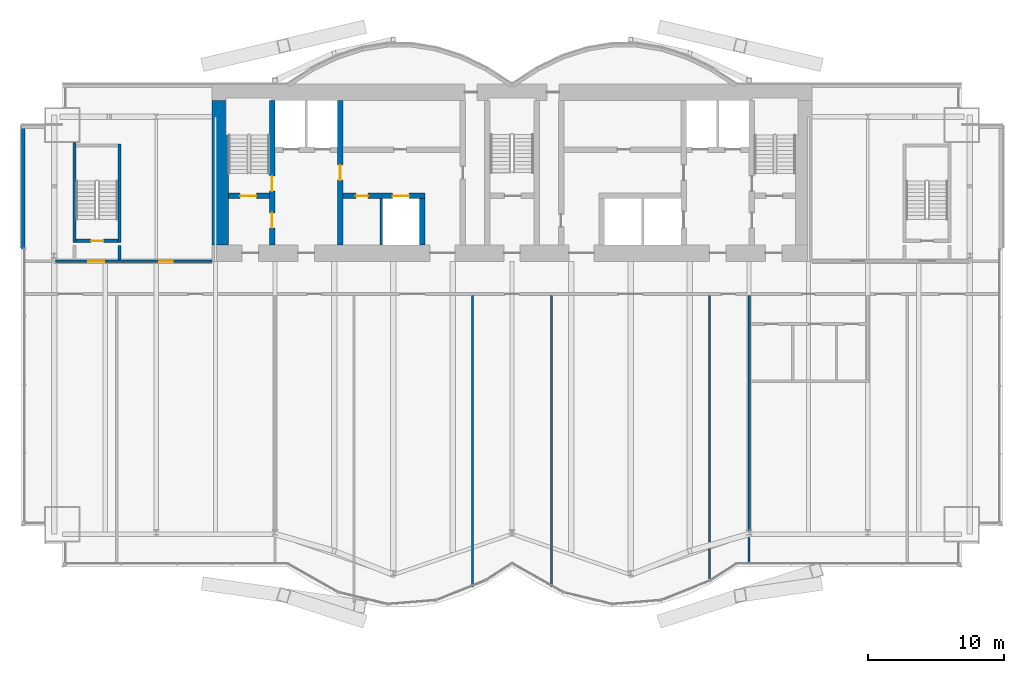
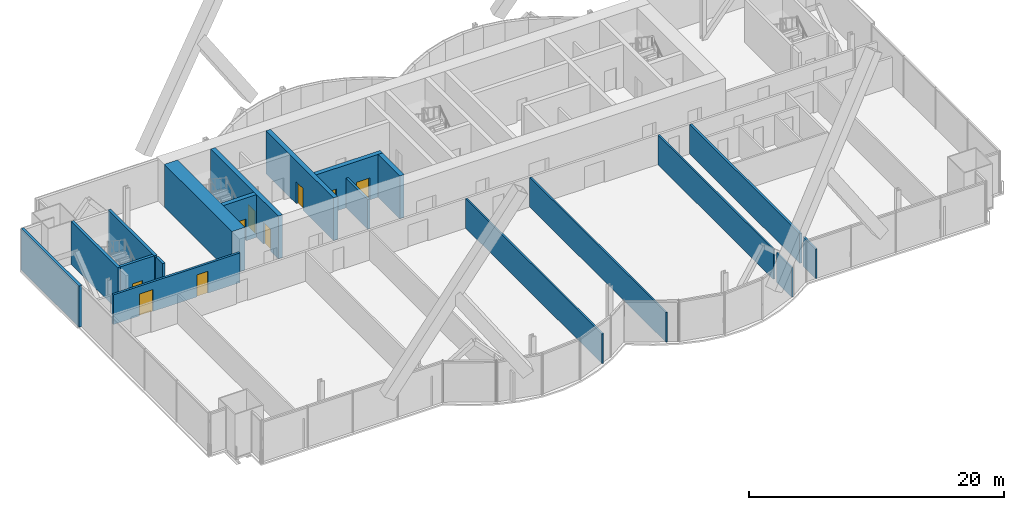
# One storey, part 17 of 23: 19 walls, 9 doors, 9 openings.
"""IFC4 building model written with IfcOpenShell, lengths in metres."""

from ifc_helpers import new_model, si_unit, direction, frame, frame_2d, origin, place, context, subcontext, project, spatial, rectangle, extrude, material, layer, layer_set, layer_usage, type_object, element, fill, save


model = new_model("IFC4")

# Units and contexts
model_context = context("Model", 3, precision=1e-05, world=origin(), true_north=direction((0.0, 1.0)))
body_context = subcontext(model_context, "Body", "Model", "MODEL_VIEW")
ifc_project = project(units=[si_unit("LENGTHUNIT", "METRE"), si_unit("AREAUNIT", "SQUARE_METRE"), si_unit("VOLUMEUNIT", "CUBIC_METRE"), si_unit("PLANEANGLEUNIT", "RADIAN"), si_unit("MASSUNIT", "GRAM", prefix="KILO")], contexts=[model_context])

# Site, building, storey
site_placement = place(None, origin())
site = spatial("IfcSite", under=ifc_project, at=site_placement, CompositionType="ELEMENT")
building_placement = place(site_placement, origin())
building = spatial("IfcBuilding", under=site, at=building_placement, Name="Bicima Exchange Tower", CompositionType="ELEMENT")
storey_placement = place(building_placement, frame((0.0, 0.0, 152.699951171875)))
storey = spatial("IfcBuildingStorey", under=building, at=storey_placement, Name="L33", CompositionType="ELEMENT", Elevation=152.699951171875)

# Wall
ifc_material_1 = material(Name="Gypsum board partition")
ifc_layer_1 = layer(ifc_material_1, 0.199951171875)
ifc_layer_set_1 = layer_set([ifc_layer_1], Name="Gypsum board partition")
wall_type_1 = type_object("IfcWallType", Name="Fire-rated gypsum partition 200 EI120", PredefinedType="PARTITIONING", material=ifc_layer_set_1)
wall_1_placement = place(storey_placement, frame((-9.60009765625, -11.800048828125, 0.0), z_axis=(0.0, 0.0, 1.0), x_axis=(0.0, 1.0, 0.0)))
element("IfcWall", 1, at=wall_1_placement, inside=storey, type_object=wall_type_1, Name="partition wall 11", PredefinedType="PARTITIONING", context=body_context, shape_type="SweptSolid", body=[
    extrude(rectangle(XDim=3.400146484375, YDim=0.199951171875, at=frame_2d((1.7001953125, 0.0))), origin(), (0.0, 0.0, 1.0), 2.84033203125),
])

# Wall, openings, doors
ifc_layer_2 = layer(ifc_material_1, 0.199951171875)
ifc_layer_set_2 = layer_set([ifc_layer_2], Name="Gypsum board partition")
wall_type_2 = type_object("IfcWallType", Name="Fire-rated gypsum partition 200 EI60", PredefinedType="PARTITIONING", material=ifc_layer_set_2)
wall_2_placement = place(storey_placement, frame((-33.47998046875, -13.0, 0.0), z_axis=(0.0, 0.0, 1.0), x_axis=(1.0, 0.0, 0.0)))
wall_2 = element("IfcWall", 2, at=wall_2_placement, inside=storey, type_object=wall_type_2, Name="partition wall 5", PredefinedType="PARTITIONING", context=body_context, shape_type="SweptSolid", body=[
    extrude(rectangle(XDim=11.47998046875, YDim=0.199951171875, at=frame_2d((5.739990234375, 0.0))), origin(), (0.0, 0.0, 1.0), 2.84033203125),
])
opening_1_placement = place(wall_2_placement, frame((2.3798828125, 0.0, 0.0)))
opening_1 = element("IfcOpeningElement", 3, at=opening_1_placement, cuts=wall_2, Name="Opening L33-001", PredefinedType="OPENING", context=body_context, shape_type="SweptSolid", body=[
    extrude(rectangle(XDim=1.199951171875, YDim=2.10009765625, at=frame_2d((0.60009765625, 1.050048828125))), frame((0.0, 0.11181640625, 0.0), z_axis=(0.0, -1.0, 0.0), x_axis=(1.0, 0.0, 0.0)), (0.0, 0.0, 1.0), 0.223876953125),
])
opening_2_placement = place(wall_2_placement, frame((7.580078125, 0.0, 0.0)))
opening_2 = element("IfcOpeningElement", 4, at=opening_2_placement, cuts=wall_2, Name="Opening L33-005", PredefinedType="OPENING", context=body_context, shape_type="SweptSolid", body=[
    extrude(rectangle(XDim=1.0, YDim=2.10009765625, at=frame_2d((0.5, 1.050048828125))), frame((0.0, 0.11181640625, 0.0), z_axis=(0.0, -1.0, 0.0), x_axis=(1.0, 0.0, 0.0)), (0.0, 0.0, 1.0), 0.223876953125),
])
ifc_material_2 = material(Name="Steel fire door leaf", Category="steel")
door_type_1 = type_object("IfcDoorType", Name="Door 1000 swing FD30S", OperationType="SINGLE_SWING_LEFT", PredefinedType="DOOR", material=ifc_material_2)
door_1_placement = place(opening_2_placement, origin())
door_1 = element("IfcDoor", 5, at=door_1_placement, inside=storey, type_object=door_type_1, Name="Door", OperationType="SINGLE_SWING_LEFT", OverallHeight=2.10009765625, OverallWidth=1.0, PredefinedType="DOOR", context=body_context, shape_type="SweptSolid", body=[
    extrude(rectangle(XDim=1.0, YDim=2.10009765625, at=frame_2d((0.5, 1.050048828125))), frame((0.0, 0.02490234375, 0.0), z_axis=(0.0, -1.0, 0.0), x_axis=(1.0, 0.0, 0.0)), (0.0, 0.0, 1.0), 0.050048828125),
])
fill(opening_2, door_1)
door_type_2 = type_object("IfcDoorType", Name="Door 1200 swing FD30S", OperationType="SINGLE_SWING_LEFT", PredefinedType="DOOR", material=ifc_material_2)
door_2_placement = place(opening_1_placement, origin())
door_2 = element("IfcDoor", 6, at=door_2_placement, inside=storey, type_object=door_type_2, Name="Door", OperationType="SINGLE_SWING_LEFT", OverallHeight=2.10009765625, OverallWidth=1.199951171875, PredefinedType="DOOR", context=body_context, shape_type="SweptSolid", body=[
    extrude(rectangle(XDim=1.199951171875, YDim=2.10009765625, at=frame_2d((0.60009765625, 1.050048828125))), frame((0.0, 0.02490234375, 0.0), z_axis=(0.0, -1.0, 0.0), x_axis=(1.0, 0.0, 0.0)), (0.0, 0.0, 1.0), 0.050048828125),
])
fill(opening_1, door_2)

# Walls
wall_3_placement = place(storey_placement, frame((17.39990234375, -32.774658203125, 0.0), z_axis=(0.0, 0.0, 1.0), x_axis=(0.0, 1.0, 0.0)))
element("IfcWall", 7, at=wall_3_placement, inside=storey, type_object=wall_type_2, Name="partition wall 24", PredefinedType="PARTITIONING", context=body_context, shape_type="SweptSolid", body=[
    extrude(rectangle(XDim=17.274658203125, YDim=0.199951171875, at=frame_2d((8.63720703125, 0.0))), origin(), (0.0, 0.0, 1.0), 2.84033203125),
])
ifc_layer_3 = layer(ifc_material_1, 0.14990234375)
ifc_layer_set_3 = layer_set([ifc_layer_3], Name="Gypsum board partition")
wall_type_3 = type_object("IfcWallType", Name="Gypsum partition 150", PredefinedType="PARTITIONING", material=ifc_layer_set_3)
for number, where, z_axis, x_axis, name in (
    (8, (-2.89990234375, -36.8798828125, 0.0), (0.0, 0.0, 1.0), (0.0, 1.0, 0.0), "partition wall 19"),
    (9, (2.89990234375, -36.8798828125, 0.0), (0.0, 0.0, 1.0), (0.0, 1.0, 0.0), "partition wall 20"),
):
    element("IfcWall", number, at=place(storey_placement, frame(where, z_axis=z_axis, x_axis=x_axis)), inside=storey, type_object=wall_type_3, Name=name, PredefinedType="PARTITIONING", context=body_context, shape_type="SweptSolid", body=[
        extrude(rectangle(XDim=21.3798828125, YDim=0.14990234375, at=frame_2d((10.68994140625, 0.0))), origin(), (0.0, 0.0, 1.0), 2.84033203125),
    ])
wall_4_placement = place(storey_placement, frame((14.5, -36.43994140625, 0.0), z_axis=(0.0, 0.0, 1.0), x_axis=(0.0, 1.0, 0.0)))
element("IfcWall", 10, at=wall_4_placement, inside=storey, type_object=wall_type_3, Name="partition wall 21", PredefinedType="PARTITIONING", context=body_context, shape_type="SweptSolid", body=[
    extrude(rectangle(XDim=2.3564453125, YDim=0.14990234375, at=frame_2d((1.17822265625, 0.0))), origin(), (0.0, 0.0, 1.0), 2.84033203125),
])
wall_5_placement = place(storey_placement, frame((14.5, -33.60888671875, 0.0), z_axis=(0.0, 0.0, 1.0), x_axis=(0.0, 1.0, 0.0)))
element("IfcWall", 11, at=wall_5_placement, inside=storey, type_object=wall_type_3, Name="partition wall 22", PredefinedType="PARTITIONING", context=body_context, shape_type="SweptSolid", body=[
    extrude(rectangle(XDim=18.10888671875, YDim=0.14990234375, at=frame_2d((9.054443359375, 0.0))), origin(), (0.0, 0.0, 1.0), 2.84033203125),
])
wall_6_placement = place(storey_placement, frame((17.39990234375, -35.199951171875, 0.0), z_axis=(0.0, 0.0, 1.0), x_axis=(0.0, 1.0, 0.0)))
element("IfcWall", 12, at=wall_6_placement, inside=storey, type_object=wall_type_3, Name="partition wall 23", PredefinedType="PARTITIONING", context=body_context, shape_type="SweptSolid", body=[
    extrude(rectangle(XDim=1.95068359375, YDim=0.14990234375, at=frame_2d((0.975341796875, 0.0))), origin(), (0.0, 0.0, 1.0), 2.84033203125),
])
ifc_material_3 = material(Name="Concrete C50/60", Category="concrete")
ifc_layer_4 = layer(ifc_material_3, 1.199951171875)
ifc_layer_set_4 = layer_set([ifc_layer_4], Name="Concrete C50/60")
wall_type_4 = type_object("IfcWallType", Name="RC core wall 1200 C50/60", PredefinedType="SHEAR", material=ifc_layer_set_4)
wall_7_placement = place(storey_placement, frame((-21.39990234375, -11.800048828125, 0.0), z_axis=(0.0, 0.0, 1.0), x_axis=(0.0, 1.0, 0.0)))
element("IfcWall", 13, at=wall_7_placement, inside=storey, type_object=wall_type_4, Name="Core wall west", PredefinedType="SHEAR", context=body_context, shape_type="SweptSolid", body=[
    extrude(rectangle(XDim=10.60009765625, YDim=1.199951171875, at=frame_2d((5.300048828125, 0.0))), origin(), (0.0, 0.0, 1.0), 4.10009765625),
])
ifc_layer_5 = layer(ifc_material_3, 0.25)
ifc_layer_set_5 = layer_set([ifc_layer_5], Name="Concrete C50/60")
wall_type_5 = type_object("IfcWallType", Name="RC core wall 250 C50/60", PredefinedType="SHEAR", material=ifc_layer_set_5)
wall_8_placement = place(storey_placement, frame((-28.800048828125, -12.89990234375, 0.0), z_axis=(0.0, 0.0, 1.0), x_axis=(0.0, 1.0, 0.0)))
element("IfcWall", 14, at=wall_8_placement, inside=storey, type_object=wall_type_5, Name="stair wall 14", PredefinedType="SHEAR", context=body_context, shape_type="SweptSolid", body=[
    extrude(rectangle(XDim=1.0498046875, YDim=0.25, at=frame_2d((0.52490234375, 0.0))), origin(), (0.0, 0.0, 1.0), 4.10009765625),
])

# Wall, opening, door
ifc_layer_6 = layer(ifc_material_3, 0.39990234375)
ifc_layer_set_6 = layer_set([ifc_layer_6], Name="Concrete C50/60")
wall_type_6 = type_object("IfcWallType", Name="RC core wall 400 C50/60", PredefinedType="SHEAR", material=ifc_layer_set_6)
wall_9_placement = place(storey_placement, frame((-20.800048828125, -8.199951171875, 0.0), z_axis=(0.0, 0.0, 1.0), x_axis=(1.0, 0.0, 0.0)))
wall_9 = element("IfcWall", 15, at=wall_9_placement, inside=storey, type_object=wall_type_6, Name="stair wall 1", PredefinedType="SHEAR", context=body_context, shape_type="SweptSolid", body=[
    extrude(rectangle(XDim=3.0, YDim=0.39990234375, at=frame_2d((1.5, 0.0))), origin(), (0.0, 0.0, 1.0), 4.10009765625),
])
opening_3_placement = place(wall_9_placement, frame((0.85009765625, 0.0, 0.0)))
opening_3 = element("IfcOpeningElement", 16, at=opening_3_placement, cuts=wall_9, Name="Opening L33-C01", PredefinedType="OPENING", context=body_context, shape_type="SweptSolid", body=[
    extrude(rectangle(XDim=1.199951171875, YDim=2.10009765625, at=frame_2d((0.60009765625, 1.050048828125))), frame((0.0, 0.2119140625, 0.0), z_axis=(0.0, -1.0, 0.0), x_axis=(1.0, 0.0, 0.0)), (0.0, 0.0, 1.0), 0.423828125),
])
door_type_3 = type_object("IfcDoorType", Name="Door 1200 swing FD60S", OperationType="SINGLE_SWING_LEFT", PredefinedType="DOOR", material=ifc_material_2)
door_3_placement = place(opening_3_placement, origin())
door_3 = element("IfcDoor", 17, at=door_3_placement, inside=storey, type_object=door_type_3, Name="Core door", OperationType="SINGLE_SWING_LEFT", OverallHeight=2.10009765625, OverallWidth=1.199951171875, PredefinedType="DOOR", context=body_context, shape_type="SweptSolid", body=[
    extrude(rectangle(XDim=1.199951171875, YDim=2.10009765625, at=frame_2d((0.60009765625, 1.050048828125))), frame((0.0, 0.02490234375, 0.0), z_axis=(0.0, -1.0, 0.0), x_axis=(1.0, 0.0, 0.0)), (0.0, 0.0, 1.0), 0.050048828125),
])
fill(opening_3, door_3)

# Wall, openings, doors
wall_10_placement = place(storey_placement, frame((-12.39990234375, -8.199951171875, 0.0), z_axis=(0.0, 0.0, 1.0), x_axis=(1.0, 0.0, 0.0)))
wall_10 = element("IfcWall", 18, at=wall_10_placement, inside=storey, type_object=wall_type_6, Name="shear wall 2", PredefinedType="SHEAR", context=body_context, shape_type="SweptSolid", body=[
    extrude(rectangle(XDim=6.0, YDim=0.39990234375, at=frame_2d((3.0, 0.0))), origin(), (0.0, 0.0, 1.0), 4.10009765625),
])
opening_4_placement = place(wall_10_placement, frame((3.64990234375, 0.0, 0.0)))
opening_4 = element("IfcOpeningElement", 19, at=opening_4_placement, cuts=wall_10, Name="Opening LD-MB1-L33", PredefinedType="OPENING", context=body_context, shape_type="SweptSolid", body=[
    extrude(rectangle(XDim=1.199951171875, YDim=2.10009765625, at=frame_2d((0.60009765625, 1.050048828125))), frame((0.0, 0.2119140625, 0.0), z_axis=(0.0, -1.0, 0.0), x_axis=(1.0, 0.0, 0.0)), (0.0, 0.0, 1.0), 0.423828125),
])
opening_5_placement = place(wall_10_placement, frame((0.949951171875, 0.0, 0.0)))
opening_5 = element("IfcOpeningElement", 20, at=opening_5_placement, cuts=wall_10, Name="Opening L33-C14", PredefinedType="OPENING", context=body_context, shape_type="SweptSolid", body=[
    extrude(rectangle(XDim=0.89990234375, YDim=2.10009765625, at=frame_2d((0.449951171875, 1.050048828125))), frame((0.0, 0.2119140625, 0.0), z_axis=(0.0, -1.0, 0.0), x_axis=(1.0, 0.0, 0.0)), (0.0, 0.0, 1.0), 0.423828125),
])
door_type_4 = type_object("IfcDoorType", Name="Door 900 swing FD30S", OperationType="SINGLE_SWING_LEFT", PredefinedType="DOOR", material=ifc_material_2)
door_4_placement = place(opening_5_placement, frame((0.89990234375, 0.0, 0.0), z_axis=(0.0, 0.0, 1.0), x_axis=(-1.0, 0.0, 0.0)))
door_4 = element("IfcDoor", 21, at=door_4_placement, inside=storey, type_object=door_type_4, Name="Core door", OperationType="SINGLE_SWING_LEFT", OverallHeight=2.10009765625, OverallWidth=0.89990234375, PredefinedType="DOOR", context=body_context, shape_type="SweptSolid", body=[
    extrude(rectangle(XDim=0.89990234375, YDim=2.10009765625, at=frame_2d((0.449951171875, 1.050048828125))), frame((0.0, 0.02490234375, 0.0), z_axis=(0.0, -1.0, 0.0), x_axis=(1.0, 0.0, 0.0)), (0.0, 0.0, 1.0), 0.050048828125),
])
fill(opening_5, door_4)
ifc_material_4 = material(Name="Stainless steel", Category="steel")
door_type_5 = type_object("IfcDoorType", Name="Lift landing door 1200 sliding", OperationType="DOUBLE_DOOR_SLIDING", PredefinedType="DOOR", material=ifc_material_4)
door_5_placement = place(opening_4_placement, origin())
door_5 = element("IfcDoor", 22, at=door_5_placement, inside=storey, type_object=door_type_5, Name="Lift landing door MB1", OperationType="DOUBLE_DOOR_SLIDING", OverallHeight=2.10009765625, OverallWidth=1.199951171875, PredefinedType="DOOR", context=body_context, shape_type="SweptSolid", body=[
    extrude(rectangle(XDim=1.199951171875, YDim=2.10009765625, at=frame_2d((0.60009765625, 1.050048828125))), frame((0.0, 0.02490234375, 0.0), z_axis=(0.0, -1.0, 0.0), x_axis=(1.0, 0.0, 0.0)), (0.0, 0.0, 1.0), 0.050048828125),
])
fill(opening_4, door_5)

wall_11_placement = place(storey_placement, frame((-17.60009765625, -11.800048828125, 0.0), z_axis=(0.0, 0.0, 1.0), x_axis=(0.0, 1.0, 0.0)))
wall_11 = element("IfcWall", 23, at=wall_11_placement, inside=storey, type_object=wall_type_6, Name="stair wall 8", PredefinedType="SHEAR", context=body_context, shape_type="SweptSolid", body=[
    extrude(rectangle(XDim=10.60009765625, YDim=0.39990234375, at=frame_2d((5.300048828125, 0.0))), origin(), (0.0, 0.0, 1.0), 4.10009765625),
])
opening_6_placement = place(wall_11_placement, frame((1.25, 0.0, 0.0)))
opening_6 = element("IfcOpeningElement", 24, at=opening_6_placement, cuts=wall_11, Name="Opening L33-C02", PredefinedType="OPENING", context=body_context, shape_type="SweptSolid", body=[
    extrude(rectangle(XDim=1.10009765625, YDim=2.10009765625, at=frame_2d((0.550048828125, 1.050048828125))), frame((0.0, 0.2119140625, 0.0), z_axis=(0.0, -1.0, 0.0), x_axis=(1.0, 0.0, 0.0)), (0.0, 0.0, 1.0), 0.423828125),
])
opening_7_placement = place(wall_11_placement, frame((3.949951171875, 0.0, 0.0)))
opening_7 = element("IfcOpeningElement", 25, at=opening_7_placement, cuts=wall_11, Name="Opening L33-C06", PredefinedType="OPENING", context=body_context, shape_type="SweptSolid", body=[
    extrude(rectangle(XDim=1.10009765625, YDim=2.10009765625, at=frame_2d((0.550048828125, 1.050048828125))), frame((0.0, 0.2119140625, 0.0), z_axis=(0.0, -1.0, 0.0), x_axis=(1.0, 0.0, 0.0)), (0.0, 0.0, 1.0), 0.423828125),
])
door_type_6 = type_object("IfcDoorType", Name="Door 1100 swing FD60S", OperationType="SINGLE_SWING_LEFT", PredefinedType="DOOR", material=ifc_material_2)
door_6_placement = place(opening_6_placement, frame((1.10009765625, 0.0, 0.0), z_axis=(0.0, 0.0, 1.0), x_axis=(-1.0, 0.0, 0.0)))
door_6 = element("IfcDoor", 26, at=door_6_placement, inside=storey, type_object=door_type_6, Name="Core door", OperationType="SINGLE_SWING_LEFT", OverallHeight=2.10009765625, OverallWidth=1.10009765625, PredefinedType="DOOR", context=body_context, shape_type="SweptSolid", body=[
    extrude(rectangle(XDim=1.10009765625, YDim=2.10009765625, at=frame_2d((0.550048828125, 1.050048828125))), frame((0.0, 0.02490234375, 0.0), z_axis=(0.0, -1.0, 0.0), x_axis=(1.0, 0.0, 0.0)), (0.0, 0.0, 1.0), 0.050048828125),
])
fill(opening_6, door_6)
door_7_placement = place(opening_7_placement, frame((1.10009765625, 0.0, 0.0), z_axis=(0.0, 0.0, 1.0), x_axis=(-1.0, 0.0, 0.0)))
door_7 = element("IfcDoor", 27, at=door_7_placement, inside=storey, type_object=door_type_6, Name="Core door", OperationType="SINGLE_SWING_LEFT", OverallHeight=2.10009765625, OverallWidth=1.10009765625, PredefinedType="DOOR", context=body_context, shape_type="SweptSolid", body=[
    extrude(rectangle(XDim=1.10009765625, YDim=2.10009765625, at=frame_2d((0.550048828125, 1.050048828125))), frame((0.0, 0.02490234375, 0.0), z_axis=(0.0, -1.0, 0.0), x_axis=(1.0, 0.0, 0.0)), (0.0, 0.0, 1.0), 0.050048828125),
])
fill(opening_7, door_7)

# Wall, opening, door
wall_12_placement = place(storey_placement, frame((-12.60009765625, -11.800048828125, 0.0), z_axis=(0.0, 0.0, 1.0), x_axis=(0.0, 1.0, 0.0)))
wall_12 = element("IfcWall", 28, at=wall_12_placement, inside=storey, type_object=wall_type_6, Name="shear wall 10", PredefinedType="SHEAR", context=body_context, shape_type="SweptSolid", body=[
    extrude(rectangle(XDim=10.60009765625, YDim=0.39990234375, at=frame_2d((5.300048828125, 0.0))), origin(), (0.0, 0.0, 1.0), 4.10009765625),
])
opening_8_placement = place(wall_12_placement, frame((4.75, 0.0, 0.0)))
opening_8 = element("IfcOpeningElement", 29, at=opening_8_placement, cuts=wall_12, Name="Opening L33-C07", PredefinedType="OPENING", context=body_context, shape_type="SweptSolid", body=[
    extrude(rectangle(XDim=1.10009765625, YDim=2.10009765625, at=frame_2d((0.550048828125, 1.050048828125))), frame((0.0, 0.2119140625, 0.0), z_axis=(0.0, -1.0, 0.0), x_axis=(1.0, 0.0, 0.0)), (0.0, 0.0, 1.0), 0.423828125),
])
door_8_placement = place(opening_8_placement, origin())
door_8 = element("IfcDoor", 30, at=door_8_placement, inside=storey, type_object=door_type_6, Name="Core door", OperationType="SINGLE_SWING_LEFT", OverallHeight=2.10009765625, OverallWidth=1.10009765625, PredefinedType="DOOR", context=body_context, shape_type="SweptSolid", body=[
    extrude(rectangle(XDim=1.10009765625, YDim=2.10009765625, at=frame_2d((0.550048828125, 1.050048828125))), frame((0.0, 0.02490234375, 0.0), z_axis=(0.0, -1.0, 0.0), x_axis=(1.0, 0.0, 0.0)), (0.0, 0.0, 1.0), 0.050048828125),
])
fill(opening_8, door_8)

# Walls
wall_13_placement = place(storey_placement, frame((-6.60009765625, -11.800048828125, 0.0), z_axis=(0.0, 0.0, 1.0), x_axis=(0.0, 1.0, 0.0)))
element("IfcWall", 31, at=wall_13_placement, inside=storey, type_object=wall_type_6, Name="shear wall 12", PredefinedType="SHEAR", context=body_context, shape_type="SweptSolid", body=[
    extrude(rectangle(XDim=3.400146484375, YDim=0.39990234375, at=frame_2d((1.7001953125, 0.0))), origin(), (0.0, 0.0, 1.0), 4.10009765625),
])
ifc_layer_7 = layer(ifc_material_3, 0.25)
ifc_layer_set_7 = layer_set([ifc_layer_7], Name="Concrete C50/60")
wall_type_7 = type_object("IfcWallType", Name="RC stair enclosure wall 250 C50/60", PredefinedType="SHEAR", material=ifc_layer_set_7)
wall_14_placement = place(storey_placement, frame((-32.10009765625, -11.625, 0.0), z_axis=(0.0, 0.0, 1.0), x_axis=(0.0, 1.0, 0.0)))
element("IfcWall", 32, at=wall_14_placement, inside=storey, type_object=wall_type_7, Name="West end exit stair wall W", PredefinedType="SHEAR", context=body_context, shape_type="SweptSolid", body=[
    extrude(rectangle(XDim=7.324951171875, YDim=0.25, at=frame_2d((3.66259765625, 0.0))), origin(), (0.0, 0.0, 1.0), 4.10009765625),
])
wall_15_placement = place(storey_placement, frame((-28.800048828125, -11.625, 0.0), z_axis=(0.0, 0.0, 1.0), x_axis=(0.0, 1.0, 0.0)))
element("IfcWall", 33, at=wall_15_placement, inside=storey, type_object=wall_type_7, Name="West end exit stair wall E", PredefinedType="SHEAR", context=body_context, shape_type="SweptSolid", body=[
    extrude(rectangle(XDim=7.25, YDim=0.25, at=frame_2d((3.625, 0.0))), origin(), (0.0, 0.0, 1.0), 4.10009765625),
])

# Wall, opening, door
wall_16_placement = place(storey_placement, frame((-31.97509765625, -11.5, 0.0), z_axis=(0.0, 0.0, 1.0), x_axis=(1.0, 0.0, 0.0)))
wall_16 = element("IfcWall", 34, at=wall_16_placement, inside=storey, type_object=wall_type_7, Name="West end exit stair wall S", PredefinedType="SHEAR", context=body_context, shape_type="SweptSolid", body=[
    extrude(rectangle(XDim=3.050048828125, YDim=0.25, at=frame_2d((1.52490234375, 0.0))), origin(), (0.0, 0.0, 1.0), 4.10009765625),
])
opening_9_placement = place(wall_16_placement, frame((1.10009765625, 0.0, 0.0)))
opening_9 = element("IfcOpeningElement", 35, at=opening_9_placement, cuts=wall_16, Name="Opening L33-002", PredefinedType="OPENING", context=body_context, shape_type="SweptSolid", body=[
    extrude(rectangle(XDim=0.89990234375, YDim=2.10009765625, at=frame_2d((0.449951171875, 1.050048828125))), frame((0.0, 0.136962890625, 0.0), z_axis=(0.0, -1.0, 0.0), x_axis=(1.0, 0.0, 0.0)), (0.0, 0.0, 1.0), 0.27392578125),
])
door_type_7 = type_object("IfcDoorType", Name="Door 900 swing FD60S", OperationType="SINGLE_SWING_LEFT", PredefinedType="DOOR", material=ifc_material_2)
door_9_placement = place(opening_9_placement, origin())
door_9 = element("IfcDoor", 36, at=door_9_placement, inside=storey, type_object=door_type_7, Name="Door", OperationType="SINGLE_SWING_LEFT", OverallHeight=2.10009765625, OverallWidth=0.89990234375, PredefinedType="DOOR", context=body_context, shape_type="SweptSolid", body=[
    extrude(rectangle(XDim=0.89990234375, YDim=2.10009765625, at=frame_2d((0.449951171875, 1.050048828125))), frame((0.0, 0.02490234375, 0.0), z_axis=(0.0, -1.0, 0.0), x_axis=(1.0, 0.0, 0.0)), (0.0, 0.0, 1.0), 0.050048828125),
])
fill(opening_9, door_9)

# Wall
ifc_material_5 = material(Name="Concrete C40/50", Category="concrete")
ifc_layer_8 = layer(ifc_material_5, 0.25)
ifc_layer_set_8 = layer_set([ifc_layer_8], Name="Concrete C40/50")
ifc_layer_usage = layer_usage(ifc_layer_set_8, "AXIS2", "POSITIVE", -0.125)
wall_type_8 = type_object("IfcWallType", Name="Rear backup wall 250", PredefinedType="STANDARD", material=ifc_layer_set_8)
wall_17_placement = place(storey_placement, frame((-35.875, -3.0, 0.0), z_axis=(0.0, 0.0, 1.0), x_axis=(0.0, -1.0, 0.0)))
element("IfcWall", 37, at=wall_17_placement, inside=storey, type_object=wall_type_8, material=ifc_layer_usage, Name="Rear backup wall L33 23", PredefinedType="STANDARD", context=body_context, shape_type="SweptSolid", body=[
    extrude(rectangle(XDim=9.090087890625, YDim=0.25, at=frame_2d((4.544921875, 0.0))), origin(), (0.0, 0.0, 1.0), 3.949951171875),
])

save(model, "model.ifc")
